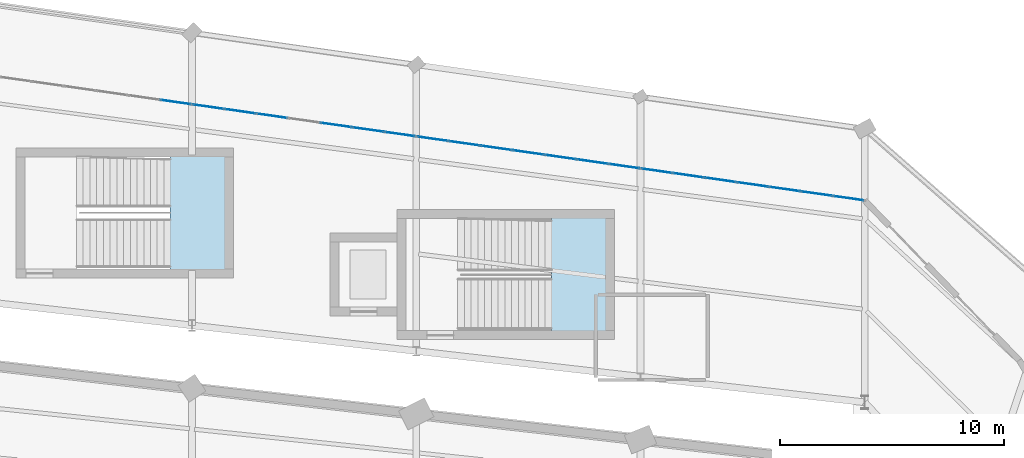
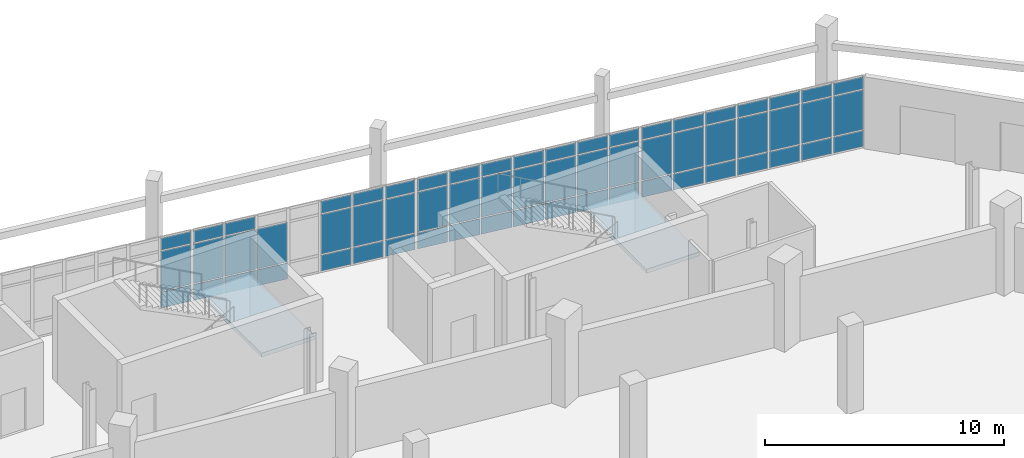
# One storey, part 93 of 122: 62 plates, 2 slabs, 6 elements without a shape of their own.
"""IFC4 building model written with IfcOpenShell, lengths in metres."""

from ifc_helpers import new_model, si_unit, direction, frame, origin, origin_2d, place, context, subcontext, project, spatial, polyline, rectangle, outline, extrude, material, layer, layer_set, type_object, element, aggregate, save


model = new_model("IFC4")

# Units and contexts
model_context = context("Model", 3, precision=1e-05, world=origin(), true_north=direction((0.0, 1.0)))
body_context = subcontext(model_context, "Body", "Model", "MODEL_VIEW")
ifc_project = project(units=[si_unit("LENGTHUNIT", "METRE"), si_unit("AREAUNIT", "SQUARE_METRE"), si_unit("VOLUMEUNIT", "CUBIC_METRE"), si_unit("PLANEANGLEUNIT", "RADIAN"), si_unit("MASSUNIT", "GRAM", prefix="KILO")], contexts=[model_context])

# Site, building, storey
site_placement = place(None, origin())
site = spatial("IfcSite", under=ifc_project, at=site_placement, CompositionType="ELEMENT")
building_placement = place(site_placement, origin())
building = spatial("IfcBuilding", under=site, at=building_placement, Name="Sohan Crest Arena", CompositionType="ELEMENT")
storey_placement = place(building_placement, origin())
storey = spatial("IfcBuildingStorey", under=building, at=storey_placement, Name="L00", CompositionType="ELEMENT", Elevation=0.0)

# Curtain wall, plates
ifc_material_1 = material(Name="Thermally broken anodised aluminium", Category="aluminium")
ifc_layer_1 = layer(ifc_material_1, 0.179931640625, Name="Thermally broken anodised aluminium")
ifc_layer_set_1 = layer_set([ifc_layer_1], Name="Thermally broken anodised aluminium")
curtain_wall_type = type_object("IfcCurtainWallType", Name="ARC-CW01", PredefinedType="NOTDEFINED", material=ifc_layer_set_1)
curtain_wall_1_placement = place(storey_placement, origin())
curtain_wall_1 = element("IfcCurtainWall", 1, at=curtain_wall_1_placement, inside=storey, type_object=curtain_wall_type, Name="Unitised curtain wall CW-014", PredefinedType="NOTDEFINED")
ifc_material_2 = material(Name="Low-E double-glazed insulated glass", Category="glass")
ifc_layer_2 = layer(ifc_material_2, 0.028076171875, Name="Low-E double-glazed insulated glass")
ifc_layer_set_2 = layer_set([ifc_layer_2], Name="Low-E double-glazed insulated glass")
plate_type = type_object("IfcPlateType", Name="ARC-CNP01", PredefinedType="CURTAIN_PANEL", material=ifc_layer_set_2)
plate_1_placement = place(storey_placement, frame((167.270751953125, 112.904296875, 0.06005859375), z_axis=(0.0, 0.0, 1.0), x_axis=(-0.989943553128, 0.141462933734, 0.0)))
plate_1 = element("IfcPlate", 2, at=plate_1_placement, type_object=plate_type, Name="CW-014 panel 1.1", PredefinedType="CURTAIN_PANEL", context=body_context, shape_type="SweptSolid", body=[
    extrude(rectangle(XDim=1.35302734375, YDim=0.028076171875, at=origin_2d()), origin(), (0.0, 0.0, 1.0), 0.81005859375),
])
plate_2_placement = place(storey_placement, frame((167.270751953125, 112.904296875, 0.929931640625), z_axis=(0.0, 0.0, 1.0), x_axis=(-0.989943553128, 0.141462933734, 0.0)))
plate_2 = element("IfcPlate", 3, at=plate_2_placement, type_object=plate_type, Name="CW-014 panel 1.2", PredefinedType="CURTAIN_PANEL", context=body_context, shape_type="SweptSolid", body=[
    extrude(rectangle(XDim=1.35302734375, YDim=0.028076171875, at=origin_2d()), origin(), (0.0, 0.0, 1.0), 2.02001953125),
])
plate_3_placement = place(storey_placement, frame((167.270751953125, 112.904296875, 3.009765625), z_axis=(0.0, 0.0, 1.0), x_axis=(-0.989943553128, 0.141462933734, 0.0)))
plate_3 = element("IfcPlate", 4, at=plate_3_placement, type_object=plate_type, Name="CW-014 panel 1.3", PredefinedType="CURTAIN_PANEL", context=body_context, shape_type="SweptSolid", body=[
    extrude(rectangle(XDim=1.35302734375, YDim=0.028076171875, at=origin_2d()), origin(), (0.0, 0.0, 1.0), 0.610107421875),
])
plate_4_placement = place(storey_placement, frame((165.857177734375, 113.106201171875, 0.06005859375), z_axis=(0.0, 0.0, 1.0), x_axis=(-0.989943553128, 0.141462933734, 0.0)))
plate_4 = element("IfcPlate", 5, at=plate_4_placement, type_object=plate_type, Name="CW-014 panel 2.1", PredefinedType="CURTAIN_PANEL", context=body_context, shape_type="SweptSolid", body=[
    extrude(rectangle(XDim=1.383056640625, YDim=0.028076171875, at=origin_2d()), origin(), (0.0, 0.0, 1.0), 0.81005859375),
])
plate_5_placement = place(storey_placement, frame((165.857177734375, 113.106201171875, 0.929931640625), z_axis=(0.0, 0.0, 1.0), x_axis=(-0.989943553128, 0.141462933734, 0.0)))
plate_5 = element("IfcPlate", 6, at=plate_5_placement, type_object=plate_type, Name="CW-014 panel 2.2", PredefinedType="CURTAIN_PANEL", context=body_context, shape_type="SweptSolid", body=[
    extrude(rectangle(XDim=1.383056640625, YDim=0.028076171875, at=origin_2d()), origin(), (0.0, 0.0, 1.0), 2.02001953125),
])
plate_6_placement = place(storey_placement, frame((165.857177734375, 113.106201171875, 3.009765625), z_axis=(0.0, 0.0, 1.0), x_axis=(-0.989943553128, 0.141462933734, 0.0)))
plate_6 = element("IfcPlate", 7, at=plate_6_placement, type_object=plate_type, Name="CW-014 panel 2.3", PredefinedType="CURTAIN_PANEL", context=body_context, shape_type="SweptSolid", body=[
    extrude(rectangle(XDim=1.383056640625, YDim=0.028076171875, at=origin_2d()), origin(), (0.0, 0.0, 1.0), 0.610107421875),
])
plate_7_placement = place(storey_placement, frame((164.428466796875, 113.310302734375, 0.06005859375), z_axis=(0.0, 0.0, 1.0), x_axis=(-0.989943553128, 0.141462933734, 0.0)))
plate_7 = element("IfcPlate", 8, at=plate_7_placement, type_object=plate_type, Name="CW-014 panel 3.1", PredefinedType="CURTAIN_PANEL", context=body_context, shape_type="SweptSolid", body=[
    extrude(rectangle(XDim=1.383056640625, YDim=0.028076171875, at=origin_2d()), origin(), (0.0, 0.0, 1.0), 0.81005859375),
])
plate_8_placement = place(storey_placement, frame((164.428466796875, 113.310302734375, 0.929931640625), z_axis=(0.0, 0.0, 1.0), x_axis=(-0.989943553128, 0.141462933734, 0.0)))
plate_8 = element("IfcPlate", 9, at=plate_8_placement, type_object=plate_type, Name="CW-014 panel 3.2", PredefinedType="CURTAIN_PANEL", context=body_context, shape_type="SweptSolid", body=[
    extrude(rectangle(XDim=1.383056640625, YDim=0.028076171875, at=origin_2d()), origin(), (0.0, 0.0, 1.0), 2.02001953125),
])
plate_9_placement = place(storey_placement, frame((164.428466796875, 113.310302734375, 3.009765625), z_axis=(0.0, 0.0, 1.0), x_axis=(-0.989943553128, 0.141462933734, 0.0)))
plate_9 = element("IfcPlate", 10, at=plate_9_placement, type_object=plate_type, Name="CW-014 panel 3.3", PredefinedType="CURTAIN_PANEL", context=body_context, shape_type="SweptSolid", body=[
    extrude(rectangle(XDim=1.383056640625, YDim=0.028076171875, at=origin_2d()), origin(), (0.0, 0.0, 1.0), 0.610107421875),
])
plate_10_placement = place(storey_placement, frame((163.0, 113.514404296875, 0.06005859375), z_axis=(0.0, 0.0, 1.0), x_axis=(-0.989943553128, 0.141462933734, 0.0)))
plate_10 = element("IfcPlate", 11, at=plate_10_placement, type_object=plate_type, Name="CW-014 panel 4.1", PredefinedType="CURTAIN_PANEL", context=body_context, shape_type="SweptSolid", body=[
    extrude(rectangle(XDim=1.383056640625, YDim=0.028076171875, at=origin_2d()), origin(), (0.0, 0.0, 1.0), 0.81005859375),
])
plate_11_placement = place(storey_placement, frame((163.0, 113.514404296875, 0.929931640625), z_axis=(0.0, 0.0, 1.0), x_axis=(-0.989943553128, 0.141462933734, 0.0)))
plate_11 = element("IfcPlate", 12, at=plate_11_placement, type_object=plate_type, Name="CW-014 panel 4.2", PredefinedType="CURTAIN_PANEL", context=body_context, shape_type="SweptSolid", body=[
    extrude(rectangle(XDim=1.383056640625, YDim=0.028076171875, at=origin_2d()), origin(), (0.0, 0.0, 1.0), 2.02001953125),
])
plate_12_placement = place(storey_placement, frame((163.0, 113.514404296875, 3.009765625), z_axis=(0.0, 0.0, 1.0), x_axis=(-0.989943553128, 0.141462933734, 0.0)))
plate_12 = element("IfcPlate", 13, at=plate_12_placement, type_object=plate_type, Name="CW-014 panel 4.3", PredefinedType="CURTAIN_PANEL", context=body_context, shape_type="SweptSolid", body=[
    extrude(rectangle(XDim=1.383056640625, YDim=0.028076171875, at=origin_2d()), origin(), (0.0, 0.0, 1.0), 0.610107421875),
])
plate_13_placement = place(storey_placement, frame((161.571533203125, 113.71875, 0.06005859375), z_axis=(0.0, 0.0, 1.0), x_axis=(-0.989943553128, 0.141462933734, 0.0)))
plate_13 = element("IfcPlate", 14, at=plate_13_placement, type_object=plate_type, Name="CW-014 panel 5.1", PredefinedType="CURTAIN_PANEL", context=body_context, shape_type="SweptSolid", body=[
    extrude(rectangle(XDim=1.383056640625, YDim=0.028076171875, at=origin_2d()), origin(), (0.0, 0.0, 1.0), 0.81005859375),
])
plate_14_placement = place(storey_placement, frame((161.571533203125, 113.71875, 0.929931640625), z_axis=(0.0, 0.0, 1.0), x_axis=(-0.989943553128, 0.141462933734, 0.0)))
plate_14 = element("IfcPlate", 15, at=plate_14_placement, type_object=plate_type, Name="CW-014 panel 5.2", PredefinedType="CURTAIN_PANEL", context=body_context, shape_type="SweptSolid", body=[
    extrude(rectangle(XDim=1.383056640625, YDim=0.028076171875, at=origin_2d()), origin(), (0.0, 0.0, 1.0), 2.02001953125),
])
plate_15_placement = place(storey_placement, frame((161.571533203125, 113.71875, 3.009765625), z_axis=(0.0, 0.0, 1.0), x_axis=(-0.989943553128, 0.141462933734, 0.0)))
plate_15 = element("IfcPlate", 16, at=plate_15_placement, type_object=plate_type, Name="CW-014 panel 5.3", PredefinedType="CURTAIN_PANEL", context=body_context, shape_type="SweptSolid", body=[
    extrude(rectangle(XDim=1.383056640625, YDim=0.028076171875, at=origin_2d()), origin(), (0.0, 0.0, 1.0), 0.610107421875),
])
plate_16_placement = place(storey_placement, frame((160.142822265625, 113.9228515625, 0.06005859375), z_axis=(0.0, 0.0, 1.0), x_axis=(-0.989943553128, 0.141462933734, 0.0)))
plate_16 = element("IfcPlate", 17, at=plate_16_placement, type_object=plate_type, Name="CW-014 panel 6.1", PredefinedType="CURTAIN_PANEL", context=body_context, shape_type="SweptSolid", body=[
    extrude(rectangle(XDim=1.383056640625, YDim=0.028076171875, at=origin_2d()), origin(), (0.0, 0.0, 1.0), 0.81005859375),
])
plate_17_placement = place(storey_placement, frame((160.142822265625, 113.9228515625, 0.929931640625), z_axis=(0.0, 0.0, 1.0), x_axis=(-0.989943553128, 0.141462933734, 0.0)))
plate_17 = element("IfcPlate", 18, at=plate_17_placement, type_object=plate_type, Name="CW-014 panel 6.2", PredefinedType="CURTAIN_PANEL", context=body_context, shape_type="SweptSolid", body=[
    extrude(rectangle(XDim=1.383056640625, YDim=0.028076171875, at=origin_2d()), origin(), (0.0, 0.0, 1.0), 2.02001953125),
])
plate_18_placement = place(storey_placement, frame((160.142822265625, 113.9228515625, 3.009765625), z_axis=(0.0, 0.0, 1.0), x_axis=(-0.989943553128, 0.141462933734, 0.0)))
plate_18 = element("IfcPlate", 19, at=plate_18_placement, type_object=plate_type, Name="CW-014 panel 6.3", PredefinedType="CURTAIN_PANEL", context=body_context, shape_type="SweptSolid", body=[
    extrude(rectangle(XDim=1.383056640625, YDim=0.028076171875, at=origin_2d()), origin(), (0.0, 0.0, 1.0), 0.610107421875),
])
plate_19_placement = place(storey_placement, frame((158.729248046875, 114.124755859375, 0.06005859375), z_axis=(0.0, 0.0, 1.0), x_axis=(-0.989943553128, 0.141462933734, 0.0)))
plate_19 = element("IfcPlate", 20, at=plate_19_placement, type_object=plate_type, Name="CW-014 panel 7.1", PredefinedType="CURTAIN_PANEL", context=body_context, shape_type="SweptSolid", body=[
    extrude(rectangle(XDim=1.35302734375, YDim=0.028076171875, at=origin_2d()), origin(), (0.0, 0.0, 1.0), 0.81005859375),
])
plate_20_placement = place(storey_placement, frame((158.729248046875, 114.124755859375, 0.929931640625), z_axis=(0.0, 0.0, 1.0), x_axis=(-0.989943553128, 0.141462933734, 0.0)))
plate_20 = element("IfcPlate", 21, at=plate_20_placement, type_object=plate_type, Name="CW-014 panel 7.2", PredefinedType="CURTAIN_PANEL", context=body_context, shape_type="SweptSolid", body=[
    extrude(rectangle(XDim=1.35302734375, YDim=0.028076171875, at=origin_2d()), origin(), (0.0, 0.0, 1.0), 2.02001953125),
])
plate_21_placement = place(storey_placement, frame((158.729248046875, 114.124755859375, 3.009765625), z_axis=(0.0, 0.0, 1.0), x_axis=(-0.989943553128, 0.141462933734, 0.0)))
plate_21 = element("IfcPlate", 22, at=plate_21_placement, type_object=plate_type, Name="CW-014 panel 7.3", PredefinedType="CURTAIN_PANEL", context=body_context, shape_type="SweptSolid", body=[
    extrude(rectangle(XDim=1.35302734375, YDim=0.028076171875, at=origin_2d()), origin(), (0.0, 0.0, 1.0), 0.610107421875),
])
aggregate(curtain_wall_1, [plate_1, plate_2, plate_3, plate_4, plate_5, plate_6, plate_7, plate_8, plate_9, plate_10, plate_11, plate_12, plate_13, plate_14, plate_15, plate_16, plate_17, plate_18, plate_19, plate_20, plate_21])

curtain_wall_2_placement = place(storey_placement, origin())
curtain_wall_2 = element("IfcCurtainWall", 23, at=curtain_wall_2_placement, inside=storey, type_object=curtain_wall_type, Name="Unitised curtain wall CW-015", PredefinedType="NOTDEFINED")
plate_22_placement = place(storey_placement, frame((157.270751953125, 114.3330078125, 0.06005859375), z_axis=(0.0, 0.0, 1.0), x_axis=(-0.989957411768, 0.141365918403, 0.0)))
plate_22 = element("IfcPlate", 24, at=plate_22_placement, type_object=plate_type, Name="CW-015 panel 1.1", PredefinedType="CURTAIN_PANEL", context=body_context, shape_type="SweptSolid", body=[
    extrude(rectangle(XDim=1.35302734375, YDim=0.028076171875, at=origin_2d()), origin(), (0.0, 0.0, 1.0), 0.81005859375),
])
plate_23_placement = place(storey_placement, frame((157.270751953125, 114.3330078125, 0.929931640625), z_axis=(0.0, 0.0, 1.0), x_axis=(-0.989957411768, 0.141365918403, 0.0)))
plate_23 = element("IfcPlate", 25, at=plate_23_placement, type_object=plate_type, Name="CW-015 panel 1.2", PredefinedType="CURTAIN_PANEL", context=body_context, shape_type="SweptSolid", body=[
    extrude(rectangle(XDim=1.35302734375, YDim=0.028076171875, at=origin_2d()), origin(), (0.0, 0.0, 1.0), 2.02001953125),
])
plate_24_placement = place(storey_placement, frame((157.270751953125, 114.3330078125, 3.009765625), z_axis=(0.0, 0.0, 1.0), x_axis=(-0.989957411768, 0.141365918403, 0.0)))
plate_24 = element("IfcPlate", 26, at=plate_24_placement, type_object=plate_type, Name="CW-015 panel 1.3", PredefinedType="CURTAIN_PANEL", context=body_context, shape_type="SweptSolid", body=[
    extrude(rectangle(XDim=1.35302734375, YDim=0.028076171875, at=origin_2d()), origin(), (0.0, 0.0, 1.0), 0.610107421875),
])
plate_25_placement = place(storey_placement, frame((155.857177734375, 114.534912109375, 0.06005859375), z_axis=(0.0, 0.0, 1.0), x_axis=(-0.989957411768, 0.141365918403, 0.0)))
plate_25 = element("IfcPlate", 27, at=plate_25_placement, type_object=plate_type, Name="CW-015 panel 2.1", PredefinedType="CURTAIN_PANEL", context=body_context, shape_type="SweptSolid", body=[
    extrude(rectangle(XDim=1.383056640625, YDim=0.028076171875, at=origin_2d()), origin(), (0.0, 0.0, 1.0), 0.81005859375),
])
plate_26_placement = place(storey_placement, frame((155.857177734375, 114.534912109375, 0.929931640625), z_axis=(0.0, 0.0, 1.0), x_axis=(-0.989957411768, 0.141365918403, 0.0)))
plate_26 = element("IfcPlate", 28, at=plate_26_placement, type_object=plate_type, Name="CW-015 panel 2.2", PredefinedType="CURTAIN_PANEL", context=body_context, shape_type="SweptSolid", body=[
    extrude(rectangle(XDim=1.383056640625, YDim=0.028076171875, at=origin_2d()), origin(), (0.0, 0.0, 1.0), 2.02001953125),
])
plate_27_placement = place(storey_placement, frame((155.857177734375, 114.534912109375, 3.009765625), z_axis=(0.0, 0.0, 1.0), x_axis=(-0.989957411768, 0.141365918403, 0.0)))
plate_27 = element("IfcPlate", 29, at=plate_27_placement, type_object=plate_type, Name="CW-015 panel 2.3", PredefinedType="CURTAIN_PANEL", context=body_context, shape_type="SweptSolid", body=[
    extrude(rectangle(XDim=1.383056640625, YDim=0.028076171875, at=origin_2d()), origin(), (0.0, 0.0, 1.0), 0.610107421875),
])
plate_28_placement = place(storey_placement, frame((154.428466796875, 114.739013671875, 0.06005859375), z_axis=(0.0, 0.0, 1.0), x_axis=(-0.989957411768, 0.141365918403, 0.0)))
plate_28 = element("IfcPlate", 30, at=plate_28_placement, type_object=plate_type, Name="CW-015 panel 3.1", PredefinedType="CURTAIN_PANEL", context=body_context, shape_type="SweptSolid", body=[
    extrude(rectangle(XDim=1.383056640625, YDim=0.028076171875, at=origin_2d()), origin(), (0.0, 0.0, 1.0), 0.81005859375),
])
plate_29_placement = place(storey_placement, frame((154.428466796875, 114.739013671875, 0.929931640625), z_axis=(0.0, 0.0, 1.0), x_axis=(-0.989957411768, 0.141365918403, 0.0)))
plate_29 = element("IfcPlate", 31, at=plate_29_placement, type_object=plate_type, Name="CW-015 panel 3.2", PredefinedType="CURTAIN_PANEL", context=body_context, shape_type="SweptSolid", body=[
    extrude(rectangle(XDim=1.383056640625, YDim=0.028076171875, at=origin_2d()), origin(), (0.0, 0.0, 1.0), 2.02001953125),
])
plate_30_placement = place(storey_placement, frame((154.428466796875, 114.739013671875, 3.009765625), z_axis=(0.0, 0.0, 1.0), x_axis=(-0.989957411768, 0.141365918403, 0.0)))
plate_30 = element("IfcPlate", 32, at=plate_30_placement, type_object=plate_type, Name="CW-015 panel 3.3", PredefinedType="CURTAIN_PANEL", context=body_context, shape_type="SweptSolid", body=[
    extrude(rectangle(XDim=1.383056640625, YDim=0.028076171875, at=origin_2d()), origin(), (0.0, 0.0, 1.0), 0.610107421875),
])
plate_31_placement = place(storey_placement, frame((153.0, 114.943115234375, 0.06005859375), z_axis=(0.0, 0.0, 1.0), x_axis=(-0.989957411768, 0.141365918403, 0.0)))
plate_31 = element("IfcPlate", 33, at=plate_31_placement, type_object=plate_type, Name="CW-015 panel 4.1", PredefinedType="CURTAIN_PANEL", context=body_context, shape_type="SweptSolid", body=[
    extrude(rectangle(XDim=1.383056640625, YDim=0.028076171875, at=origin_2d()), origin(), (0.0, 0.0, 1.0), 0.81005859375),
])
plate_32_placement = place(storey_placement, frame((153.0, 114.943115234375, 0.929931640625), z_axis=(0.0, 0.0, 1.0), x_axis=(-0.989957411768, 0.141365918403, 0.0)))
plate_32 = element("IfcPlate", 34, at=plate_32_placement, type_object=plate_type, Name="CW-015 panel 4.2", PredefinedType="CURTAIN_PANEL", context=body_context, shape_type="SweptSolid", body=[
    extrude(rectangle(XDim=1.383056640625, YDim=0.028076171875, at=origin_2d()), origin(), (0.0, 0.0, 1.0), 2.02001953125),
])
plate_33_placement = place(storey_placement, frame((153.0, 114.943115234375, 3.009765625), z_axis=(0.0, 0.0, 1.0), x_axis=(-0.989957411768, 0.141365918403, 0.0)))
plate_33 = element("IfcPlate", 35, at=plate_33_placement, type_object=plate_type, Name="CW-015 panel 4.3", PredefinedType="CURTAIN_PANEL", context=body_context, shape_type="SweptSolid", body=[
    extrude(rectangle(XDim=1.383056640625, YDim=0.028076171875, at=origin_2d()), origin(), (0.0, 0.0, 1.0), 0.610107421875),
])
plate_34_placement = place(storey_placement, frame((151.571533203125, 115.14697265625, 0.06005859375), z_axis=(0.0, 0.0, 1.0), x_axis=(-0.989957411768, 0.141365918403, 0.0)))
plate_34 = element("IfcPlate", 36, at=plate_34_placement, type_object=plate_type, Name="CW-015 panel 5.1", PredefinedType="CURTAIN_PANEL", context=body_context, shape_type="SweptSolid", body=[
    extrude(rectangle(XDim=1.383056640625, YDim=0.028076171875, at=origin_2d()), origin(), (0.0, 0.0, 1.0), 0.81005859375),
])
plate_35_placement = place(storey_placement, frame((151.571533203125, 115.14697265625, 0.929931640625), z_axis=(0.0, 0.0, 1.0), x_axis=(-0.989957411768, 0.141365918403, 0.0)))
plate_35 = element("IfcPlate", 37, at=plate_35_placement, type_object=plate_type, Name="CW-015 panel 5.2", PredefinedType="CURTAIN_PANEL", context=body_context, shape_type="SweptSolid", body=[
    extrude(rectangle(XDim=1.383056640625, YDim=0.028076171875, at=origin_2d()), origin(), (0.0, 0.0, 1.0), 2.02001953125),
])
plate_36_placement = place(storey_placement, frame((151.571533203125, 115.14697265625, 3.009765625), z_axis=(0.0, 0.0, 1.0), x_axis=(-0.989957411768, 0.141365918403, 0.0)))
plate_36 = element("IfcPlate", 38, at=plate_36_placement, type_object=plate_type, Name="CW-015 panel 5.3", PredefinedType="CURTAIN_PANEL", context=body_context, shape_type="SweptSolid", body=[
    extrude(rectangle(XDim=1.383056640625, YDim=0.028076171875, at=origin_2d()), origin(), (0.0, 0.0, 1.0), 0.610107421875),
])
plate_37_placement = place(storey_placement, frame((150.142822265625, 115.35107421875, 0.06005859375), z_axis=(0.0, 0.0, 1.0), x_axis=(-0.989957411768, 0.141365918403, 0.0)))
plate_37 = element("IfcPlate", 39, at=plate_37_placement, type_object=plate_type, Name="CW-015 panel 6.1", PredefinedType="CURTAIN_PANEL", context=body_context, shape_type="SweptSolid", body=[
    extrude(rectangle(XDim=1.383056640625, YDim=0.028076171875, at=origin_2d()), origin(), (0.0, 0.0, 1.0), 0.81005859375),
])
plate_38_placement = place(storey_placement, frame((150.142822265625, 115.35107421875, 0.929931640625), z_axis=(0.0, 0.0, 1.0), x_axis=(-0.989957411768, 0.141365918403, 0.0)))
plate_38 = element("IfcPlate", 40, at=plate_38_placement, type_object=plate_type, Name="CW-015 panel 6.2", PredefinedType="CURTAIN_PANEL", context=body_context, shape_type="SweptSolid", body=[
    extrude(rectangle(XDim=1.383056640625, YDim=0.028076171875, at=origin_2d()), origin(), (0.0, 0.0, 1.0), 2.02001953125),
])
plate_39_placement = place(storey_placement, frame((150.142822265625, 115.35107421875, 3.009765625), z_axis=(0.0, 0.0, 1.0), x_axis=(-0.989957411768, 0.141365918403, 0.0)))
plate_39 = element("IfcPlate", 41, at=plate_39_placement, type_object=plate_type, Name="CW-015 panel 6.3", PredefinedType="CURTAIN_PANEL", context=body_context, shape_type="SweptSolid", body=[
    extrude(rectangle(XDim=1.383056640625, YDim=0.028076171875, at=origin_2d()), origin(), (0.0, 0.0, 1.0), 0.610107421875),
])
plate_40_placement = place(storey_placement, frame((148.729248046875, 115.552978515625, 0.06005859375), z_axis=(0.0, 0.0, 1.0), x_axis=(-0.989957411768, 0.141365918403, 0.0)))
plate_40 = element("IfcPlate", 42, at=plate_40_placement, type_object=plate_type, Name="CW-015 panel 7.1", PredefinedType="CURTAIN_PANEL", context=body_context, shape_type="SweptSolid", body=[
    extrude(rectangle(XDim=1.35302734375, YDim=0.028076171875, at=origin_2d()), origin(), (0.0, 0.0, 1.0), 0.81005859375),
])
plate_41_placement = place(storey_placement, frame((148.729248046875, 115.552978515625, 0.929931640625), z_axis=(0.0, 0.0, 1.0), x_axis=(-0.989957411768, 0.141365918403, 0.0)))
plate_41 = element("IfcPlate", 43, at=plate_41_placement, type_object=plate_type, Name="CW-015 panel 7.2", PredefinedType="CURTAIN_PANEL", context=body_context, shape_type="SweptSolid", body=[
    extrude(rectangle(XDim=1.35302734375, YDim=0.028076171875, at=origin_2d()), origin(), (0.0, 0.0, 1.0), 2.02001953125),
])
plate_42_placement = place(storey_placement, frame((148.729248046875, 115.552978515625, 3.009765625), z_axis=(0.0, 0.0, 1.0), x_axis=(-0.989957411768, 0.141365918403, 0.0)))
plate_42 = element("IfcPlate", 44, at=plate_42_placement, type_object=plate_type, Name="CW-015 panel 7.3", PredefinedType="CURTAIN_PANEL", context=body_context, shape_type="SweptSolid", body=[
    extrude(rectangle(XDim=1.35302734375, YDim=0.028076171875, at=origin_2d()), origin(), (0.0, 0.0, 1.0), 0.610107421875),
])
aggregate(curtain_wall_2, [plate_22, plate_23, plate_24, plate_25, plate_26, plate_27, plate_28, plate_29, plate_30, plate_31, plate_32, plate_33, plate_34, plate_35, plate_36, plate_37, plate_38, plate_39, plate_40, plate_41, plate_42])

curtain_wall_3_placement = place(storey_placement, origin())
curtain_wall_3 = element("IfcCurtainWall", 45, at=curtain_wall_3_placement, inside=storey, type_object=curtain_wall_type, Name="Unitised curtain wall CW-016", PredefinedType="NOTDEFINED")
plate_43_placement = place(storey_placement, frame((147.270751953125, 115.76123046875, 0.06005859375), z_axis=(0.0, 0.0, 1.0), x_axis=(-0.989943553128, 0.141462933734, 0.0)))
plate_43 = element("IfcPlate", 46, at=plate_43_placement, type_object=plate_type, Name="CW-016 panel 1.1", PredefinedType="CURTAIN_PANEL", context=body_context, shape_type="SweptSolid", body=[
    extrude(rectangle(XDim=1.35302734375, YDim=0.028076171875, at=origin_2d()), origin(), (0.0, 0.0, 1.0), 0.81005859375),
])
plate_44_placement = place(storey_placement, frame((147.270751953125, 115.76123046875, 0.929931640625), z_axis=(0.0, 0.0, 1.0), x_axis=(-0.989943553128, 0.141462933734, 0.0)))
plate_44 = element("IfcPlate", 47, at=plate_44_placement, type_object=plate_type, Name="CW-016 panel 1.2", PredefinedType="CURTAIN_PANEL", context=body_context, shape_type="SweptSolid", body=[
    extrude(rectangle(XDim=1.35302734375, YDim=0.028076171875, at=origin_2d()), origin(), (0.0, 0.0, 1.0), 2.02001953125),
])
plate_45_placement = place(storey_placement, frame((147.270751953125, 115.76123046875, 3.009765625), z_axis=(0.0, 0.0, 1.0), x_axis=(-0.989943553128, 0.141462933734, 0.0)))
plate_45 = element("IfcPlate", 48, at=plate_45_placement, type_object=plate_type, Name="CW-016 panel 1.3", PredefinedType="CURTAIN_PANEL", context=body_context, shape_type="SweptSolid", body=[
    extrude(rectangle(XDim=1.35302734375, YDim=0.028076171875, at=origin_2d()), origin(), (0.0, 0.0, 1.0), 0.610107421875),
])
plate_46_placement = place(storey_placement, frame((145.857177734375, 115.963134765625, 0.06005859375), z_axis=(0.0, 0.0, 1.0), x_axis=(-0.989943553128, 0.141462933734, 0.0)))
plate_46 = element("IfcPlate", 49, at=plate_46_placement, type_object=plate_type, Name="CW-016 panel 2.1", PredefinedType="CURTAIN_PANEL", context=body_context, shape_type="SweptSolid", body=[
    extrude(rectangle(XDim=1.383056640625, YDim=0.028076171875, at=origin_2d()), origin(), (0.0, 0.0, 1.0), 0.81005859375),
])
plate_47_placement = place(storey_placement, frame((145.857177734375, 115.963134765625, 0.929931640625), z_axis=(0.0, 0.0, 1.0), x_axis=(-0.989943553128, 0.141462933734, 0.0)))
plate_47 = element("IfcPlate", 50, at=plate_47_placement, type_object=plate_type, Name="CW-016 panel 2.2", PredefinedType="CURTAIN_PANEL", context=body_context, shape_type="SweptSolid", body=[
    extrude(rectangle(XDim=1.383056640625, YDim=0.028076171875, at=origin_2d()), origin(), (0.0, 0.0, 1.0), 2.02001953125),
])
plate_48_placement = place(storey_placement, frame((145.857177734375, 115.963134765625, 3.009765625), z_axis=(0.0, 0.0, 1.0), x_axis=(-0.989943553128, 0.141462933734, 0.0)))
plate_48 = element("IfcPlate", 51, at=plate_48_placement, type_object=plate_type, Name="CW-016 panel 2.3", PredefinedType="CURTAIN_PANEL", context=body_context, shape_type="SweptSolid", body=[
    extrude(rectangle(XDim=1.383056640625, YDim=0.028076171875, at=origin_2d()), origin(), (0.0, 0.0, 1.0), 0.610107421875),
])
plate_49_placement = place(storey_placement, frame((144.428466796875, 116.167236328125, 0.06005859375), z_axis=(0.0, 0.0, 1.0), x_axis=(-0.989943553128, 0.141462933734, 0.0)))
plate_49 = element("IfcPlate", 52, at=plate_49_placement, type_object=plate_type, Name="CW-016 panel 3.1", PredefinedType="CURTAIN_PANEL", context=body_context, shape_type="SweptSolid", body=[
    extrude(rectangle(XDim=1.383056640625, YDim=0.028076171875, at=origin_2d()), origin(), (0.0, 0.0, 1.0), 0.81005859375),
])
plate_50_placement = place(storey_placement, frame((144.428466796875, 116.167236328125, 0.929931640625), z_axis=(0.0, 0.0, 1.0), x_axis=(-0.989943553128, 0.141462933734, 0.0)))
plate_50 = element("IfcPlate", 53, at=plate_50_placement, type_object=plate_type, Name="CW-016 panel 3.2", PredefinedType="CURTAIN_PANEL", context=body_context, shape_type="SweptSolid", body=[
    extrude(rectangle(XDim=1.383056640625, YDim=0.028076171875, at=origin_2d()), origin(), (0.0, 0.0, 1.0), 2.02001953125),
])
plate_51_placement = place(storey_placement, frame((144.428466796875, 116.167236328125, 3.009765625), z_axis=(0.0, 0.0, 1.0), x_axis=(-0.989943553128, 0.141462933734, 0.0)))
plate_51 = element("IfcPlate", 54, at=plate_51_placement, type_object=plate_type, Name="CW-016 panel 3.3", PredefinedType="CURTAIN_PANEL", context=body_context, shape_type="SweptSolid", body=[
    extrude(rectangle(XDim=1.383056640625, YDim=0.028076171875, at=origin_2d()), origin(), (0.0, 0.0, 1.0), 0.610107421875),
])
plate_52_placement = place(storey_placement, frame((141.571533203125, 116.57568359375, 0.06005859375), z_axis=(0.0, 0.0, 1.0), x_axis=(-0.989943553128, 0.141462933734, 0.0)))
plate_52 = element("IfcPlate", 55, at=plate_52_placement, type_object=plate_type, Name="CW-016 panel 5.1", PredefinedType="CURTAIN_PANEL", context=body_context, shape_type="SweptSolid", body=[
    extrude(rectangle(XDim=1.383056640625, YDim=0.028076171875, at=origin_2d()), origin(), (0.0, 0.0, 1.0), 0.81005859375),
])
plate_53_placement = place(storey_placement, frame((141.571533203125, 116.57568359375, 0.929931640625), z_axis=(0.0, 0.0, 1.0), x_axis=(-0.989943553128, 0.141462933734, 0.0)))
plate_53 = element("IfcPlate", 56, at=plate_53_placement, type_object=plate_type, Name="CW-016 panel 5.2", PredefinedType="CURTAIN_PANEL", context=body_context, shape_type="SweptSolid", body=[
    extrude(rectangle(XDim=1.383056640625, YDim=0.028076171875, at=origin_2d()), origin(), (0.0, 0.0, 1.0), 2.02001953125),
])
plate_54_placement = place(storey_placement, frame((140.142822265625, 116.77978515625, 0.06005859375), z_axis=(0.0, 0.0, 1.0), x_axis=(-0.989943553128, 0.141462933734, 0.0)))
plate_54 = element("IfcPlate", 57, at=plate_54_placement, type_object=plate_type, Name="CW-016 panel 6.1", PredefinedType="CURTAIN_PANEL", context=body_context, shape_type="SweptSolid", body=[
    extrude(rectangle(XDim=1.383056640625, YDim=0.028076171875, at=origin_2d()), origin(), (0.0, 0.0, 1.0), 0.81005859375),
])
plate_55_placement = place(storey_placement, frame((140.142822265625, 116.77978515625, 0.929931640625), z_axis=(0.0, 0.0, 1.0), x_axis=(-0.989943553128, 0.141462933734, 0.0)))
plate_55 = element("IfcPlate", 58, at=plate_55_placement, type_object=plate_type, Name="CW-016 panel 6.2", PredefinedType="CURTAIN_PANEL", context=body_context, shape_type="SweptSolid", body=[
    extrude(rectangle(XDim=1.383056640625, YDim=0.028076171875, at=origin_2d()), origin(), (0.0, 0.0, 1.0), 2.02001953125),
])
plate_56_placement = place(storey_placement, frame((140.142822265625, 116.77978515625, 3.009765625), z_axis=(0.0, 0.0, 1.0), x_axis=(-0.989943553128, 0.141462933734, 0.0)))
plate_56 = element("IfcPlate", 59, at=plate_56_placement, type_object=plate_type, Name="CW-016 panel 6.3", PredefinedType="CURTAIN_PANEL", context=body_context, shape_type="SweptSolid", body=[
    extrude(rectangle(XDim=1.383056640625, YDim=0.028076171875, at=origin_2d()), origin(), (0.0, 0.0, 1.0), 0.610107421875),
])
plate_57_placement = place(storey_placement, frame((138.729248046875, 116.981689453125, 0.06005859375), z_axis=(0.0, 0.0, 1.0), x_axis=(-0.989943553128, 0.141462933734, 0.0)))
plate_57 = element("IfcPlate", 60, at=plate_57_placement, type_object=plate_type, Name="CW-016 panel 7.1", PredefinedType="CURTAIN_PANEL", context=body_context, shape_type="SweptSolid", body=[
    extrude(rectangle(XDim=1.35302734375, YDim=0.028076171875, at=origin_2d()), origin(), (0.0, 0.0, 1.0), 0.81005859375),
])
plate_58_placement = place(storey_placement, frame((138.729248046875, 116.981689453125, 0.929931640625), z_axis=(0.0, 0.0, 1.0), x_axis=(-0.989943553128, 0.141462933734, 0.0)))
plate_58 = element("IfcPlate", 61, at=plate_58_placement, type_object=plate_type, Name="CW-016 panel 7.2", PredefinedType="CURTAIN_PANEL", context=body_context, shape_type="SweptSolid", body=[
    extrude(rectangle(XDim=1.35302734375, YDim=0.028076171875, at=origin_2d()), origin(), (0.0, 0.0, 1.0), 2.02001953125),
])
plate_59_placement = place(storey_placement, frame((138.729248046875, 116.981689453125, 3.009765625), z_axis=(0.0, 0.0, 1.0), x_axis=(-0.989943553128, 0.141462933734, 0.0)))
plate_59 = element("IfcPlate", 62, at=plate_59_placement, type_object=plate_type, Name="CW-016 panel 7.3", PredefinedType="CURTAIN_PANEL", context=body_context, shape_type="SweptSolid", body=[
    extrude(rectangle(XDim=1.35302734375, YDim=0.028076171875, at=origin_2d()), origin(), (0.0, 0.0, 1.0), 0.610107421875),
])
aggregate(curtain_wall_3, [plate_43, plate_44, plate_45, plate_46, plate_47, plate_48, plate_49, plate_50, plate_51, plate_52, plate_53, plate_54, plate_55, plate_56, plate_57, plate_58, plate_59])

curtain_wall_4_placement = place(storey_placement, origin())
curtain_wall_4 = element("IfcCurtainWall", 63, at=curtain_wall_4_placement, inside=storey, type_object=curtain_wall_type, Name="Unitised curtain wall CW-017", PredefinedType="NOTDEFINED")
plate_60_placement = place(storey_placement, frame((137.270751953125, 117.190185546875, 0.06005859375), z_axis=(0.0, 0.0, 1.0), x_axis=(-0.989957411768, 0.141365918403, 0.0)))
plate_60 = element("IfcPlate", 64, at=plate_60_placement, type_object=plate_type, Name="CW-017 panel 1.1", PredefinedType="CURTAIN_PANEL", context=body_context, shape_type="SweptSolid", body=[
    extrude(rectangle(XDim=1.35302734375, YDim=0.028076171875, at=origin_2d()), origin(), (0.0, 0.0, 1.0), 0.81005859375),
])
plate_61_placement = place(storey_placement, frame((137.270751953125, 117.190185546875, 0.929931640625), z_axis=(0.0, 0.0, 1.0), x_axis=(-0.989957411768, 0.141365918403, 0.0)))
plate_61 = element("IfcPlate", 65, at=plate_61_placement, type_object=plate_type, Name="CW-017 panel 1.2", PredefinedType="CURTAIN_PANEL", context=body_context, shape_type="SweptSolid", body=[
    extrude(rectangle(XDim=1.35302734375, YDim=0.028076171875, at=origin_2d()), origin(), (0.0, 0.0, 1.0), 2.02001953125),
])
plate_62_placement = place(storey_placement, frame((137.270751953125, 117.190185546875, 3.009765625), z_axis=(0.0, 0.0, 1.0), x_axis=(-0.989957411768, 0.141365918403, 0.0)))
plate_62 = element("IfcPlate", 66, at=plate_62_placement, type_object=plate_type, Name="CW-017 panel 1.3", PredefinedType="CURTAIN_PANEL", context=body_context, shape_type="SweptSolid", body=[
    extrude(rectangle(XDim=1.35302734375, YDim=0.028076171875, at=origin_2d()), origin(), (0.0, 0.0, 1.0), 0.610107421875),
])
aggregate(curtain_wall_4, [plate_60, plate_61, plate_62])

# Stair, slab
ifc_material_3 = material(Name="Concrete C40/50", Category="concrete")
stair_type_1 = type_object("IfcStairType", Name="ST-450", PredefinedType="TWO_STRAIGHT_RUN_STAIR", material=ifc_material_3)
stair_1_placement = place(storey_placement, origin())
stair_1 = element("IfcStair", 67, at=stair_1_placement, inside=storey, type_object=stair_type_1, Name="Protected exit stair ST10-L00", PredefinedType="TWO_STRAIGHT_RUN_STAIR")
ifc_layer_3 = layer(ifc_material_3, 0.199951171875, Name="Concrete C40/50")
ifc_layer_set_3 = layer_set([ifc_layer_3], Name="Concrete C40/50")
slab_type = type_object("IfcSlabType", Name="SL-LND1", PredefinedType="LANDING", material=ifc_layer_set_3)
slab_1_placement = place(storey_placement, frame((0.0, 0.0, 2.050048828125)))
slab_1 = element("IfcSlab", 68, at=slab_1_placement, type_object=slab_type, Name="ST10-L00 landing 1", PredefinedType="LANDING", context=body_context, shape_type="SweptSolid", body=[
    extrude(outline(polyline([(154.030029296875, 106.85009765625), (156.60009765625, 106.85009765625), (156.60009765625, 112.14990234375), (154.030029296875, 112.14990234375), (154.030029296875, 106.85009765625)])), origin(), (0.0, 0.0, 1.0), 0.199951171875),
])
aggregate(stair_1, [slab_1])

stair_type_2 = type_object("IfcStairType", Name="ST-450W", PredefinedType="TWO_STRAIGHT_RUN_STAIR", material=ifc_material_3)
stair_2_placement = place(storey_placement, origin())
stair_2 = element("IfcStair", 69, at=stair_2_placement, inside=storey, type_object=stair_type_2, Name="Protected exit stair ST22-L00", PredefinedType="TWO_STRAIGHT_RUN_STAIR")
slab_2_placement = place(storey_placement, frame((0.0, 0.0, 2.050048828125)))
slab_2 = element("IfcSlab", 70, at=slab_2_placement, type_object=slab_type, Name="ST22-L00 landing 1", PredefinedType="LANDING", context=body_context, shape_type="SweptSolid", body=[
    extrude(outline(polyline([(137.030029296875, 109.60009765625), (139.60009765625, 109.60009765625), (139.60009765625, 114.89990234375), (137.030029296875, 114.89990234375), (137.030029296875, 109.60009765625)])), origin(), (0.0, 0.0, 1.0), 0.199951171875),
])
aggregate(stair_2, [slab_2])

save(model, "model.ifc")
